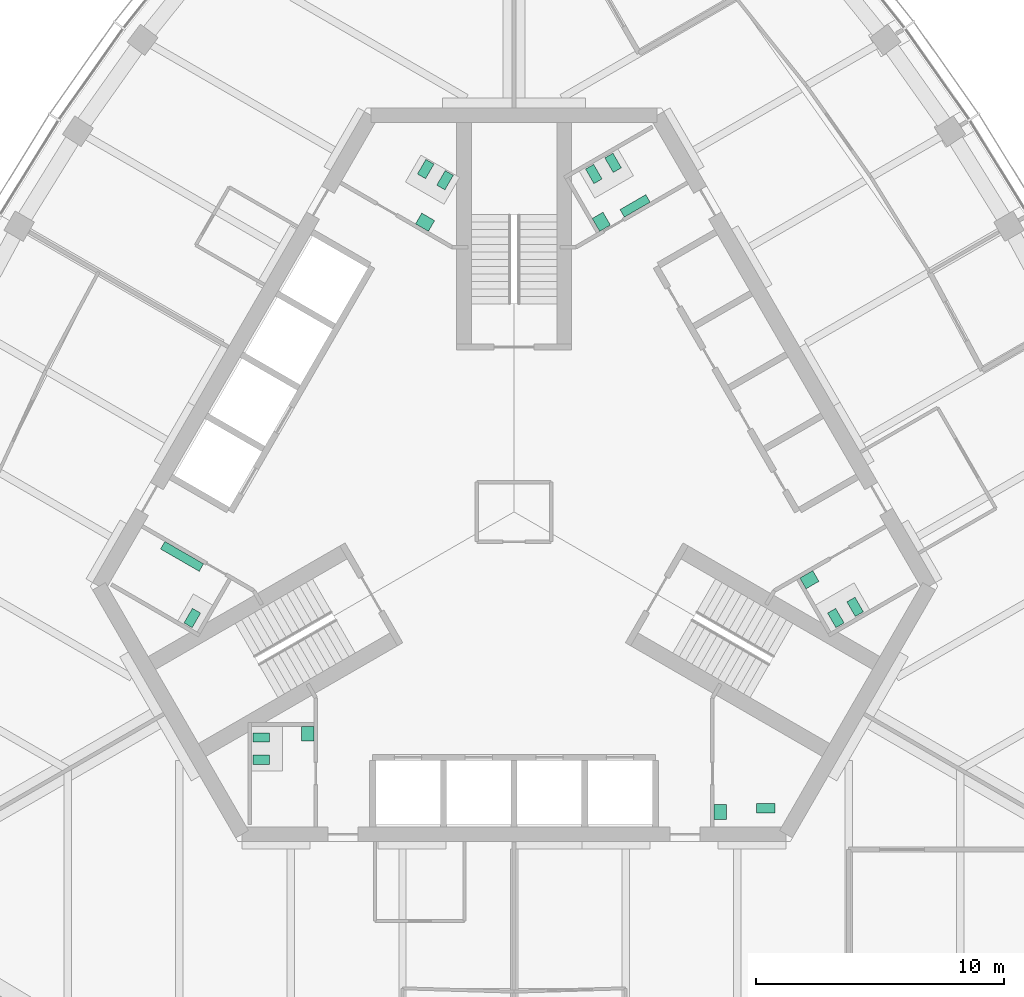
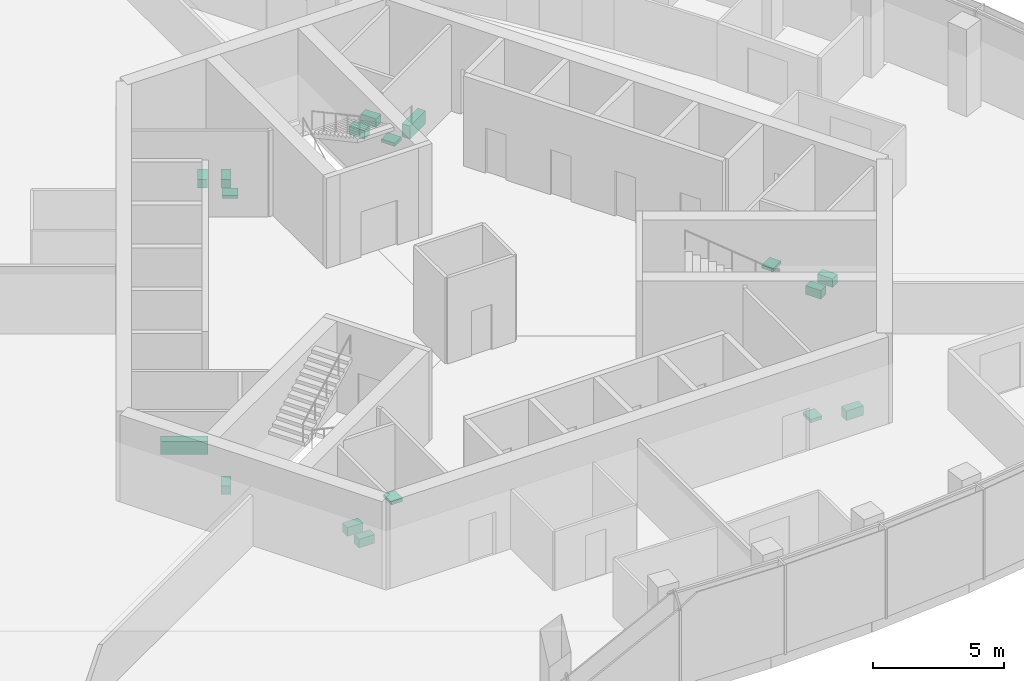
# One storey, part 15 of 16: 17 sanitary terminals.
"""IFC4 building model written with IfcOpenShell, lengths in metres."""

from ifc_helpers import new_model, si_unit, direction, frame, origin, place, context, subcontext, project, spatial, polyline, outline, extrude, material, type_object, element, save


model = new_model("IFC4")

# Units and contexts
model_context = context("Model", 3, precision=1e-05, world=origin(), true_north=direction((0.0, 1.0)))
body_context = subcontext(model_context, "Body", "Model", "MODEL_VIEW")
ifc_project = project(units=[si_unit("LENGTHUNIT", "METRE"), si_unit("AREAUNIT", "SQUARE_METRE"), si_unit("VOLUMEUNIT", "CUBIC_METRE"), si_unit("PLANEANGLEUNIT", "RADIAN"), si_unit("MASSUNIT", "GRAM", prefix="KILO")], contexts=[model_context])

# Site, building, storey
site_placement = place(None, origin())
site = spatial("IfcSite", under=ifc_project, at=site_placement, CompositionType="ELEMENT")
building_placement = place(site_placement, origin())
building = spatial("IfcBuilding", under=site, at=building_placement, Name="Trefoil Bronze Tower", CompositionType="ELEMENT")
storey_placement = place(building_placement, frame((0.0, 0.0, 314.10009765625)))
storey = spatial("IfcBuildingStorey", under=building, at=storey_placement, Name="L72", CompositionType="ELEMENT", Elevation=314.10009765625)

# Sanitary terminals
ifc_material_1 = material(Name="Vitreous china", Category="ceramic")
sanitary_terminal_type_1 = type_object("IfcSanitaryTerminalType", Name="Accessible WC pan", PredefinedType="TOILETPAN", material=ifc_material_1)
sanitary_terminal_1_placement = place(storey_placement, origin())
element("IfcSanitaryTerminal", 1, at=sanitary_terminal_1_placement, inside=storey, type_object=sanitary_terminal_type_1, Name="WC pan 1 Accessible WC L72", PredefinedType="TOILETPAN", context=body_context, shape_type="SweptSolid", body=[
    extrude(outline(polyline([(9.784912109375, -11.77001953125), (10.534912109375, -11.77001953125), (10.534912109375, -12.14990234375), (9.784912109375, -12.14990234375), (9.784912109375, -11.77001953125)])), origin(), (0.0, 0.0, 1.0), 0.449951171875),
])
ifc_material_2 = material(Name="Vitreous china", Category="ceramic")
sanitary_terminal_type_2 = type_object("IfcSanitaryTerminalType", Name="Accessible basin", PredefinedType="WASHHANDBASIN", material=ifc_material_2)
sanitary_terminal_2_placement = place(storey_placement, frame((0.0, 0.0, 0.64990234375)))
element("IfcSanitaryTerminal", 2, at=sanitary_terminal_2_placement, inside=storey, type_object=sanitary_terminal_type_2, Name="Wash basin Accessible WC L72", PredefinedType="WASHHANDBASIN", context=body_context, shape_type="SweptSolid", body=[
    extrude(outline(polyline([(8.074951171875, -11.800048828125), (8.574951171875, -11.800048828125), (8.574951171875, -12.39990234375), (8.074951171875, -12.39990234375), (8.074951171875, -11.800048828125)])), origin(), (0.0, 0.0, 1.0), 0.14990234375),
])
ifc_material_3 = material(Name="Vitreous china", Category="ceramic")
sanitary_terminal_type_3 = type_object("IfcSanitaryTerminalType", Name="Urinal range 2 urinals", PredefinedType="URINAL", material=ifc_material_3)
sanitary_terminal_3_placement = place(storey_placement, frame((0.0, 0.0, 0.39990234375)))
element("IfcSanitaryTerminal", 3, at=sanitary_terminal_3_placement, inside=storey, type_object=sanitary_terminal_type_3, Name="Urinal range WC (men) L72", PredefinedType="URINAL", context=body_context, shape_type="SweptSolid", body=[
    extrude(outline(polyline([(4.449462890625, 11.89306640625), (4.274658203125, 12.1962890625), (5.313720703125, 12.796142578125), (5.48876953125, 12.4931640625), (4.449462890625, 11.89306640625)])), origin(), (0.0, 0.0, 1.0), 0.60009765625),
])
ifc_material_4 = material(Name="Vitreous china", Category="ceramic")
sanitary_terminal_type_4 = type_object("IfcSanitaryTerminalType", Name="Urinal range 3 urinals", PredefinedType="URINAL", material=ifc_material_4)
sanitary_terminal_4_placement = place(storey_placement, frame((0.0, 0.0, 0.39990234375)))
element("IfcSanitaryTerminal", 4, at=sanitary_terminal_4_placement, inside=storey, type_object=sanitary_terminal_type_4, Name="Urinal range WC (men) L72", PredefinedType="URINAL", context=body_context, shape_type="SweptSolid", body=[
    extrude(outline(polyline([(-12.524658203125, -2.09326171875), (-12.699462890625, -2.396240234375), (-14.25830078125, -1.496337890625), (-14.08349609375, -1.193115234375), (-12.524658203125, -2.09326171875)])), origin(), (0.0, 0.0, 1.0), 0.60009765625),
])
ifc_material_5 = material(Name="Solid surface vanity", Category="plastic")
sanitary_terminal_type_5 = type_object("IfcSanitaryTerminalType", Name="Vanity unit 1 basins", PredefinedType="WASHHANDBASIN", material=ifc_material_5)
sanitary_terminal_5_placement = place(storey_placement, frame((0.0, 0.0, 0.75)))
element("IfcSanitaryTerminal", 5, at=sanitary_terminal_5_placement, inside=storey, type_object=sanitary_terminal_type_5, Name="Vanity unit WC (women) L72", PredefinedType="WASHHANDBASIN", context=body_context, shape_type="SweptSolid", body=[
    extrude(outline(polyline([(11.528564453125, -2.668212890625), (11.778564453125, -3.10107421875), (12.29833984375, -2.80126953125), (12.04833984375, -2.3681640625), (11.528564453125, -2.668212890625)])), origin(), (0.0, 0.0, 1.0), 0.14990234375),
])
sanitary_terminal_6_placement = place(storey_placement, frame((0.0, 0.0, 0.75)))
element("IfcSanitaryTerminal", 6, at=sanitary_terminal_6_placement, inside=storey, type_object=sanitary_terminal_type_5, Name="Vanity unit WC (men) L72", PredefinedType="WASHHANDBASIN", context=body_context, shape_type="SweptSolid", body=[
    extrude(outline(polyline([(3.45361328125, 11.318115234375), (3.153564453125, 11.837890625), (3.586669921875, 12.087890625), (3.88671875, 11.568115234375), (3.45361328125, 11.318115234375)])), origin(), (0.0, 0.0, 1.0), 0.14990234375),
])
sanitary_terminal_7_placement = place(storey_placement, frame((0.0, 0.0, 0.75)))
element("IfcSanitaryTerminal", 7, at=sanitary_terminal_7_placement, inside=storey, type_object=sanitary_terminal_type_5, Name="Vanity unit WC (women) L72", PredefinedType="WASHHANDBASIN", context=body_context, shape_type="SweptSolid", body=[
    extrude(outline(polyline([(-3.45361328125, 11.318115234375), (-3.20361328125, 11.751220703125), (-3.72314453125, 12.05126953125), (-3.97314453125, 11.6181640625), (-3.45361328125, 11.318115234375)])), origin(), (0.0, 0.0, 1.0), 0.14990234375),
])
sanitary_terminal_8_placement = place(storey_placement, frame((0.0, 0.0, 0.75)))
element("IfcSanitaryTerminal", 8, at=sanitary_terminal_8_placement, inside=storey, type_object=sanitary_terminal_type_5, Name="Vanity unit WC (women) L72", PredefinedType="WASHHANDBASIN", context=body_context, shape_type="SweptSolid", body=[
    extrude(outline(polyline([(-8.074951171875, -8.64990234375), (-8.574951171875, -8.64990234375), (-8.574951171875, -9.25), (-8.074951171875, -9.25), (-8.074951171875, -8.64990234375)])), origin(), (0.0, 0.0, 1.0), 0.14990234375),
])
ifc_material_6 = material(Name="Vitreous china", Category="ceramic")
sanitary_terminal_type_6 = type_object("IfcSanitaryTerminalType", Name="WC pan", PredefinedType="TOILETPAN", material=ifc_material_6)
sanitary_terminal_9_placement = place(storey_placement, origin())
element("IfcSanitaryTerminal", 9, at=sanitary_terminal_9_placement, inside=storey, type_object=sanitary_terminal_type_6, Name="WC pan 1 WC (women) L72", PredefinedType="TOILETPAN", context=body_context, shape_type="SweptSolid", body=[
    extrude(outline(polyline([(12.643798828125, -4.07958984375), (12.98388671875, -4.66845703125), (13.31298828125, -4.478515625), (12.972900390625, -3.8896484375), (12.643798828125, -4.07958984375)])), origin(), (0.0, 0.0, 1.0), 0.39990234375),
])
sanitary_terminal_10_placement = place(storey_placement, origin())
element("IfcSanitaryTerminal", 10, at=sanitary_terminal_10_placement, inside=storey, type_object=sanitary_terminal_type_6, Name="WC pan 2 WC (women) L72", PredefinedType="TOILETPAN", context=body_context, shape_type="SweptSolid", body=[
    extrude(outline(polyline([(13.423095703125, -3.629638671875), (13.76318359375, -4.218505859375), (14.09228515625, -4.028564453125), (13.752197265625, -3.439697265625), (13.423095703125, -3.629638671875)])), origin(), (0.0, 0.0, 1.0), 0.39990234375),
])
sanitary_terminal_11_placement = place(storey_placement, origin())
element("IfcSanitaryTerminal", 11, at=sanitary_terminal_11_placement, inside=storey, type_object=sanitary_terminal_type_6, Name="WC pan 1 WC (men) L72", PredefinedType="TOILETPAN", context=body_context, shape_type="SweptSolid", body=[
    extrude(outline(polyline([(3.2216796875, 13.23974609375), (2.8818359375, 13.82861328125), (3.2109375, 14.0185546875), (3.55078125, 13.4296875), (3.2216796875, 13.23974609375)])), origin(), (0.0, 0.0, 1.0), 0.39990234375),
])
sanitary_terminal_12_placement = place(storey_placement, origin())
element("IfcSanitaryTerminal", 12, at=sanitary_terminal_12_placement, inside=storey, type_object=sanitary_terminal_type_6, Name="WC pan 2 WC (men) L72", PredefinedType="TOILETPAN", context=body_context, shape_type="SweptSolid", body=[
    extrude(outline(polyline([(4.001220703125, 13.689697265625), (3.6611328125, 14.278564453125), (3.990234375, 14.468505859375), (4.330322265625, 13.879638671875), (4.001220703125, 13.689697265625)])), origin(), (0.0, 0.0, 1.0), 0.39990234375),
])
sanitary_terminal_13_placement = place(storey_placement, origin())
element("IfcSanitaryTerminal", 13, at=sanitary_terminal_13_placement, inside=storey, type_object=sanitary_terminal_type_6, Name="WC pan 1 WC (women) L72", PredefinedType="TOILETPAN", context=body_context, shape_type="SweptSolid", body=[
    extrude(outline(polyline([(-2.788818359375, 12.98974609375), (-2.44873046875, 13.57861328125), (-2.77783203125, 13.7685546875), (-3.117919921875, 13.1796875), (-2.788818359375, 12.98974609375)])), origin(), (0.0, 0.0, 1.0), 0.39990234375),
])
sanitary_terminal_14_placement = place(storey_placement, origin())
element("IfcSanitaryTerminal", 14, at=sanitary_terminal_14_placement, inside=storey, type_object=sanitary_terminal_type_6, Name="WC pan 2 WC (women) L72", PredefinedType="TOILETPAN", context=body_context, shape_type="SweptSolid", body=[
    extrude(outline(polyline([(-3.568115234375, 13.439697265625), (-3.228271484375, 14.028564453125), (-3.557373046875, 14.218505859375), (-3.897216796875, 13.629638671875), (-3.568115234375, 13.439697265625)])), origin(), (0.0, 0.0, 1.0), 0.39990234375),
])
sanitary_terminal_15_placement = place(storey_placement, origin())
element("IfcSanitaryTerminal", 15, at=sanitary_terminal_15_placement, inside=storey, type_object=sanitary_terminal_type_6, Name="WC pan 1 WC (men) L72", PredefinedType="TOILETPAN", context=body_context, shape_type="SweptSolid", body=[
    extrude(outline(polyline([(-12.643798828125, -4.07958984375), (-12.98388671875, -4.66845703125), (-13.31298828125, -4.478515625), (-12.972900390625, -3.8896484375), (-12.643798828125, -4.07958984375)])), origin(), (0.0, 0.0, 1.0), 0.39990234375),
])
sanitary_terminal_16_placement = place(storey_placement, origin())
element("IfcSanitaryTerminal", 16, at=sanitary_terminal_16_placement, inside=storey, type_object=sanitary_terminal_type_6, Name="WC pan 1 WC (women) L72", PredefinedType="TOILETPAN", context=body_context, shape_type="SweptSolid", body=[
    extrude(outline(polyline([(-9.85498046875, -8.909912109375), (-10.534912109375, -8.909912109375), (-10.534912109375, -9.2900390625), (-9.85498046875, -9.2900390625), (-9.85498046875, -8.909912109375)])), origin(), (0.0, 0.0, 1.0), 0.39990234375),
])
sanitary_terminal_17_placement = place(storey_placement, origin())
element("IfcSanitaryTerminal", 17, at=sanitary_terminal_17_placement, inside=storey, type_object=sanitary_terminal_type_6, Name="WC pan 2 WC (women) L72", PredefinedType="TOILETPAN", context=body_context, shape_type="SweptSolid", body=[
    extrude(outline(polyline([(-9.85498046875, -9.81005859375), (-10.534912109375, -9.81005859375), (-10.534912109375, -10.18994140625), (-9.85498046875, -10.18994140625), (-9.85498046875, -9.81005859375)])), origin(), (0.0, 0.0, 1.0), 0.39990234375),
])

save(model, "model.ifc")
